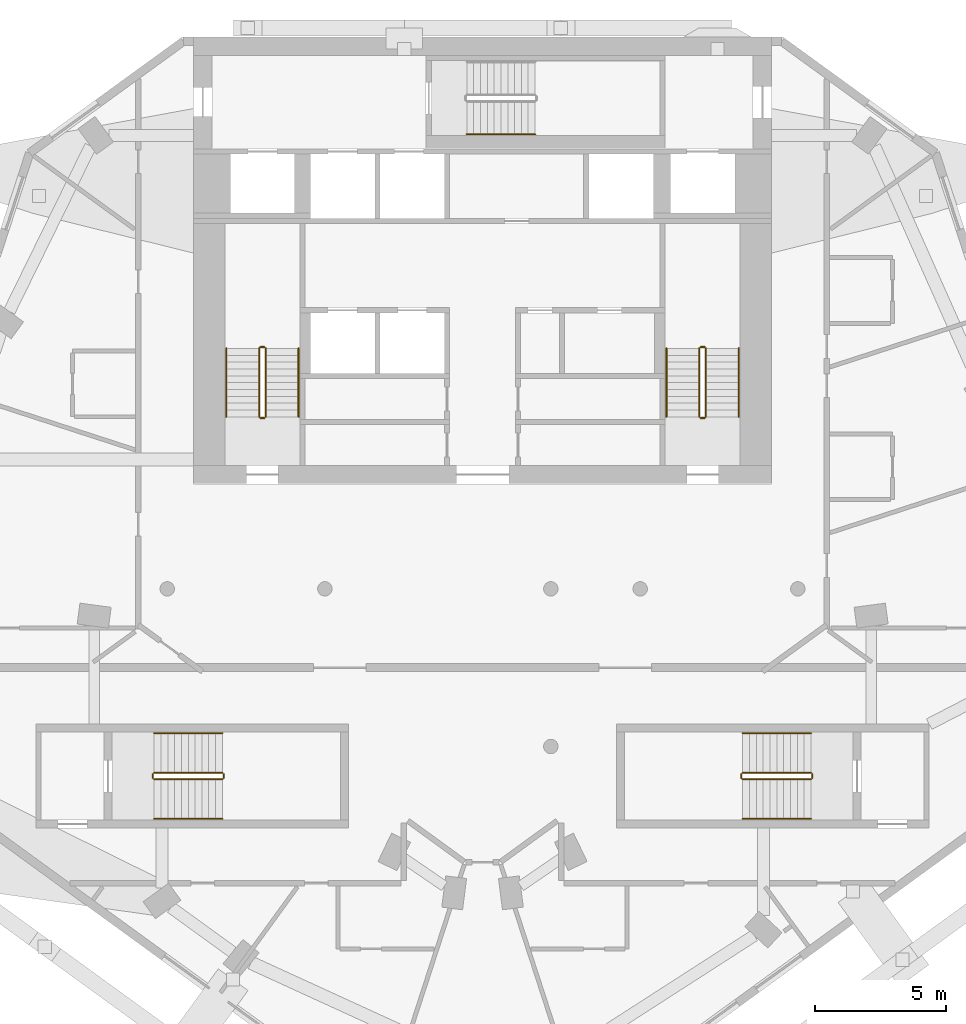
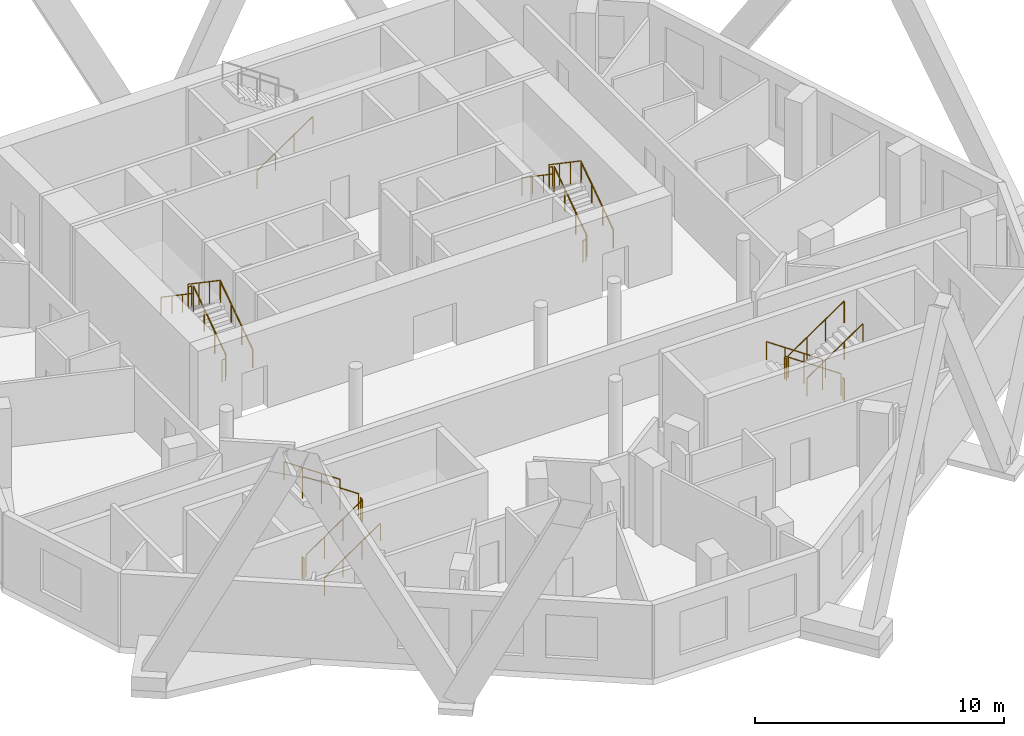
# One storey, part 8 of 9: 25 railings.
"""IFC4 building model written with IfcOpenShell, lengths in metres."""

from ifc_helpers import new_model, si_unit, direction, frame, origin, origin_2d, place, context, subcontext, project, spatial, circle, extrude, material, type_object, element, save


model = new_model("IFC4")

# Units and contexts
model_context = context("Model", 3, precision=1e-05, world=origin(), true_north=direction((0.0, 1.0)))
body_context = subcontext(model_context, "Body", "Model", "MODEL_VIEW")
ifc_project = project(units=[si_unit("LENGTHUNIT", "METRE"), si_unit("AREAUNIT", "SQUARE_METRE"), si_unit("VOLUMEUNIT", "CUBIC_METRE"), si_unit("PLANEANGLEUNIT", "RADIAN"), si_unit("MASSUNIT", "GRAM", prefix="KILO")], contexts=[model_context])

# Site, building, storey
site_placement = place(None, origin())
site = spatial("IfcSite", under=ifc_project, at=site_placement, CompositionType="ELEMENT")
building_placement = place(site_placement, origin())
building = spatial("IfcBuilding", under=site, at=building_placement, Name="White Candle Pilgrim Tower", CompositionType="ELEMENT")
storey_placement = place(building_placement, frame((0.0, 0.0, 271.699951171875)))
storey = spatial("IfcBuildingStorey", under=building, at=storey_placement, Name="L64", CompositionType="ELEMENT", Elevation=271.699951171875)

# Railings
ifc_material = material(Name="Stainless steel", Category="steel")
railing_type_1 = type_object("IfcRailingType", Name="Stair guard stainless steel 1100 mm", PredefinedType="GUARDRAIL", material=ifc_material)
railing_1_placement = place(storey_placement, frame((61.75, 73.550048828125, 0.17724609375)))
element("IfcRailing", 1, at=railing_1_placement, inside=storey, type_object=railing_type_1, Name="L64 ST1 stair guard 1", PredefinedType="GUARDRAIL", context=body_context, shape_type="SweptSolid", body=[
    extrude(circle(Radius=0.02392578125, at=origin_2d()), frame((0.0, 0.0, 1.076171875), z_axis=(0.0, 0.826215852431, 0.563353676824), x_axis=(-1.0, 0.0, 0.0)), (0.0, 0.0, 1.0), 3.146728515625),
    extrude(circle(Radius=0.02099609375, at=origin_2d()), origin(), (0.0, 0.0, 1.0), 1.052001953125),
    extrude(circle(Radius=0.02099609375, at=origin_2d()), frame((0.0, 0.86669921875, 0.5908203125)), (0.0, 0.0, 1.0), 1.052001953125),
    extrude(circle(Radius=0.02099609375, at=origin_2d()), frame((0.0, 1.733154296875, 1.181884765625)), (0.0, 0.0, 1.0), 1.052001953125),
    extrude(circle(Radius=0.02099609375, at=origin_2d()), frame((0.0, 2.599853515625, 1.772705078125)), (0.0, 0.0, 1.0), 1.052001953125),
])
railing_2_placement = place(storey_placement, frame((61.699951171875, 76.199951171875, 1.949951171875)))
element("IfcRailing", 2, at=railing_2_placement, inside=storey, type_object=railing_type_1, Name="L64 ST1 stair guard 2", PredefinedType="GUARDRAIL", context=body_context, shape_type="SweptSolid", body=[
    extrude(circle(Radius=0.02392578125, at=origin_2d()), frame((0.0, 0.0, 1.076171875), z_axis=(-1.0, 0.0, 0.0), x_axis=(0.0, -1.0, 0.0)), (0.0, 0.0, 1.0), 0.14990234375),
    extrude(circle(Radius=0.02099609375, at=origin_2d()), origin(), (0.0, 0.0, 1.0), 1.052001953125),
    extrude(circle(Radius=0.02099609375, at=origin_2d()), frame((-0.14990234375, 0.0, 0.0)), (0.0, 0.0, 1.0), 1.052001953125),
])
railing_3_placement = place(storey_placement, frame((61.5, 76.14990234375, 2.12744140625)))
element("IfcRailing", 3, at=railing_3_placement, inside=storey, type_object=railing_type_1, Name="L64 ST1 stair guard 3", PredefinedType="GUARDRAIL", context=body_context, shape_type="SweptSolid", body=[
    extrude(circle(Radius=0.02392578125, at=origin_2d()), frame((0.0, 0.0, 1.076171875), z_axis=(0.0, -0.826215852431, 0.563353676824), x_axis=(1.0, 0.0, 0.0)), (0.0, 0.0, 1.0), 3.146728515625),
    extrude(circle(Radius=0.02099609375, at=origin_2d()), origin(), (0.0, 0.0, 1.0), 1.052001953125),
    extrude(circle(Radius=0.02099609375, at=origin_2d()), frame((0.0, -0.86669921875, 0.5908203125)), (0.0, 0.0, 1.0), 1.052001953125),
    extrude(circle(Radius=0.02099609375, at=origin_2d()), frame((0.0, -1.733154296875, 1.181884765625)), (0.0, 0.0, 1.0), 1.052001953125),
    extrude(circle(Radius=0.02099609375, at=origin_2d()), frame((0.0, -2.599853515625, 1.772705078125)), (0.0, 0.0, 1.0), 1.052001953125),
])
railing_4_placement = place(storey_placement, frame((61.699951171875, 73.5, 0.0)))
element("IfcRailing", 4, at=railing_4_placement, inside=storey, type_object=railing_type_1, Name="L64 ST1 stair guard 4", PredefinedType="GUARDRAIL", context=body_context, shape_type="SweptSolid", body=[
    extrude(circle(Radius=0.02392578125, at=origin_2d()), frame((0.0, 0.0, 1.076171875), z_axis=(-1.0, 0.0, 0.0), x_axis=(0.0, -1.0, 0.0)), (0.0, 0.0, 1.0), 0.14990234375),
    extrude(circle(Radius=0.02099609375, at=origin_2d()), origin(), (0.0, 0.0, 1.0), 1.052001953125),
    extrude(circle(Radius=0.02099609375, at=origin_2d()), frame((-0.14990234375, 0.0, 0.0)), (0.0, 0.0, 1.0), 1.052001953125),
])
railing_5_placement = place(storey_placement, frame((78.5, 73.550048828125, 0.17724609375)))
element("IfcRailing", 5, at=railing_5_placement, inside=storey, type_object=railing_type_1, Name="L64 ST2 stair guard 1", PredefinedType="GUARDRAIL", context=body_context, shape_type="SweptSolid", body=[
    extrude(circle(Radius=0.02392578125, at=origin_2d()), frame((0.0, 0.0, 1.076171875), z_axis=(0.0, 0.826215852431, 0.563353676824), x_axis=(-1.0, 0.0, 0.0)), (0.0, 0.0, 1.0), 3.146728515625),
    extrude(circle(Radius=0.02099609375, at=origin_2d()), origin(), (0.0, 0.0, 1.0), 1.052001953125),
    extrude(circle(Radius=0.02099609375, at=origin_2d()), frame((0.0, 0.86669921875, 0.5908203125)), (0.0, 0.0, 1.0), 1.052001953125),
    extrude(circle(Radius=0.02099609375, at=origin_2d()), frame((0.0, 1.733154296875, 1.181884765625)), (0.0, 0.0, 1.0), 1.052001953125),
    extrude(circle(Radius=0.02099609375, at=origin_2d()), frame((0.0, 2.599853515625, 1.772705078125)), (0.0, 0.0, 1.0), 1.052001953125),
])
railing_6_placement = place(storey_placement, frame((78.449951171875, 76.199951171875, 1.949951171875)))
element("IfcRailing", 6, at=railing_6_placement, inside=storey, type_object=railing_type_1, Name="L64 ST2 stair guard 2", PredefinedType="GUARDRAIL", context=body_context, shape_type="SweptSolid", body=[
    extrude(circle(Radius=0.02392578125, at=origin_2d()), frame((0.0, 0.0, 1.076171875), z_axis=(-1.0, 0.0, 0.0), x_axis=(0.0, -1.0, 0.0)), (0.0, 0.0, 1.0), 0.14990234375),
    extrude(circle(Radius=0.02099609375, at=origin_2d()), origin(), (0.0, 0.0, 1.0), 1.052001953125),
    extrude(circle(Radius=0.02099609375, at=origin_2d()), frame((-0.14990234375, 0.0, 0.0)), (0.0, 0.0, 1.0), 1.052001953125),
])
railing_7_placement = place(storey_placement, frame((78.25, 76.14990234375, 2.12744140625)))
element("IfcRailing", 7, at=railing_7_placement, inside=storey, type_object=railing_type_1, Name="L64 ST2 stair guard 3", PredefinedType="GUARDRAIL", context=body_context, shape_type="SweptSolid", body=[
    extrude(circle(Radius=0.02392578125, at=origin_2d()), frame((0.0, 0.0, 1.076171875), z_axis=(0.0, -0.826215852431, 0.563353676824), x_axis=(1.0, 0.0, 0.0)), (0.0, 0.0, 1.0), 3.146728515625),
    extrude(circle(Radius=0.02099609375, at=origin_2d()), origin(), (0.0, 0.0, 1.0), 1.052001953125),
    extrude(circle(Radius=0.02099609375, at=origin_2d()), frame((0.0, -0.86669921875, 0.5908203125)), (0.0, 0.0, 1.0), 1.052001953125),
    extrude(circle(Radius=0.02099609375, at=origin_2d()), frame((0.0, -1.733154296875, 1.181884765625)), (0.0, 0.0, 1.0), 1.052001953125),
    extrude(circle(Radius=0.02099609375, at=origin_2d()), frame((0.0, -2.599853515625, 1.772705078125)), (0.0, 0.0, 1.0), 1.052001953125),
])
railing_8_placement = place(storey_placement, frame((78.449951171875, 73.5, 0.0)))
element("IfcRailing", 8, at=railing_8_placement, inside=storey, type_object=railing_type_1, Name="L64 ST2 stair guard 4", PredefinedType="GUARDRAIL", context=body_context, shape_type="SweptSolid", body=[
    extrude(circle(Radius=0.02392578125, at=origin_2d()), frame((0.0, 0.0, 1.076171875), z_axis=(-1.0, 0.0, 0.0), x_axis=(0.0, -1.0, 0.0)), (0.0, 0.0, 1.0), 0.14990234375),
    extrude(circle(Radius=0.02099609375, at=origin_2d()), origin(), (0.0, 0.0, 1.0), 1.052001953125),
    extrude(circle(Radius=0.02099609375, at=origin_2d()), frame((-0.14990234375, 0.0, 0.0)), (0.0, 0.0, 1.0), 1.052001953125),
])
railing_9_placement = place(storey_placement, frame((82.5, 60.0, 0.17724609375)))
element("IfcRailing", 9, at=railing_9_placement, inside=storey, type_object=railing_type_1, Name="L64 ST4 stair guard 1", PredefinedType="GUARDRAIL", context=body_context, shape_type="SweptSolid", body=[
    extrude(circle(Radius=0.02392578125, at=origin_2d()), frame((0.0, 0.0, 1.076171875), z_axis=(-0.826240473404, 0.0, 0.563317565952), x_axis=(0.0, -1.0, 0.0)), (0.0, 0.0, 1.0), 3.14697265625),
    extrude(circle(Radius=0.02099609375, at=origin_2d()), origin(), (0.0, 0.0, 1.0), 1.052001953125),
    extrude(circle(Radius=0.02099609375, at=origin_2d()), frame((-0.86669921875, 0.0, 0.5908203125)), (0.0, 0.0, 1.0), 1.052001953125),
    extrude(circle(Radius=0.02099609375, at=origin_2d()), frame((-1.7333984375, 0.0, 1.181884765625)), (0.0, 0.0, 1.0), 1.052001953125),
    extrude(circle(Radius=0.02099609375, at=origin_2d()), frame((-2.60009765625, 0.0, 1.772705078125)), (0.0, 0.0, 1.0), 1.052001953125),
])
railing_10_placement = place(storey_placement, frame((79.85009765625, 59.949951171875, 1.949951171875)))
element("IfcRailing", 10, at=railing_10_placement, inside=storey, type_object=railing_type_1, Name="L64 ST4 stair guard 2", PredefinedType="GUARDRAIL", context=body_context, shape_type="SweptSolid", body=[
    extrude(circle(Radius=0.02392578125, at=origin_2d()), frame((0.0, 0.0, 1.076171875), z_axis=(0.0, -1.0, 0.0), x_axis=(1.0, 0.0, 0.0)), (0.0, 0.0, 1.0), 0.14990234375),
    extrude(circle(Radius=0.02099609375, at=origin_2d()), origin(), (0.0, 0.0, 1.0), 1.052001953125),
    extrude(circle(Radius=0.02099609375, at=origin_2d()), frame((0.0, -0.14990234375, 0.0)), (0.0, 0.0, 1.0), 1.052001953125),
])
railing_11_placement = place(storey_placement, frame((79.89990234375, 59.75, 2.12744140625)))
element("IfcRailing", 11, at=railing_11_placement, inside=storey, type_object=railing_type_1, Name="L64 ST4 stair guard 3", PredefinedType="GUARDRAIL", context=body_context, shape_type="SweptSolid", body=[
    extrude(circle(Radius=0.02392578125, at=origin_2d()), frame((0.0, 0.0, 1.076171875), z_axis=(0.826240473404, 0.0, 0.563317565952), x_axis=(0.0, 1.0, 0.0)), (0.0, 0.0, 1.0), 3.14697265625),
    extrude(circle(Radius=0.02099609375, at=origin_2d()), origin(), (0.0, 0.0, 1.0), 1.052001953125),
    extrude(circle(Radius=0.02099609375, at=origin_2d()), frame((0.86669921875, 0.0, 0.5908203125)), (0.0, 0.0, 1.0), 1.052001953125),
    extrude(circle(Radius=0.02099609375, at=origin_2d()), frame((1.7333984375, 0.0, 1.181884765625)), (0.0, 0.0, 1.0), 1.052001953125),
    extrude(circle(Radius=0.02099609375, at=origin_2d()), frame((2.60009765625, 0.0, 1.772705078125)), (0.0, 0.0, 1.0), 1.052001953125),
])
railing_12_placement = place(storey_placement, frame((82.550048828125, 59.949951171875, 0.0)))
element("IfcRailing", 12, at=railing_12_placement, inside=storey, type_object=railing_type_1, Name="L64 ST4 stair guard 4", PredefinedType="GUARDRAIL", context=body_context, shape_type="SweptSolid", body=[
    extrude(circle(Radius=0.02392578125, at=origin_2d()), frame((0.0, 0.0, 1.076171875), z_axis=(0.0, -1.0, 0.0), x_axis=(1.0, 0.0, 0.0)), (0.0, 0.0, 1.0), 0.14990234375),
    extrude(circle(Radius=0.02099609375, at=origin_2d()), origin(), (0.0, 0.0, 1.0), 1.052001953125),
    extrude(circle(Radius=0.02099609375, at=origin_2d()), frame((0.0, -0.14990234375, 0.0)), (0.0, 0.0, 1.0), 1.052001953125),
])
railing_13_placement = place(storey_placement, frame((57.5, 59.75, 0.17724609375)))
element("IfcRailing", 13, at=railing_13_placement, inside=storey, type_object=railing_type_1, Name="L64 ST5 stair guard 1", PredefinedType="GUARDRAIL", context=body_context, shape_type="SweptSolid", body=[
    extrude(circle(Radius=0.02392578125, at=origin_2d()), frame((0.0, 0.0, 1.076171875), z_axis=(0.826240473404, 0.0, 0.563317565952), x_axis=(0.0, 1.0, 0.0)), (0.0, 0.0, 1.0), 3.14697265625),
    extrude(circle(Radius=0.02099609375, at=origin_2d()), origin(), (0.0, 0.0, 1.0), 1.052001953125),
    extrude(circle(Radius=0.02099609375, at=origin_2d()), frame((0.86669921875, 0.0, 0.5908203125)), (0.0, 0.0, 1.0), 1.052001953125),
    extrude(circle(Radius=0.02099609375, at=origin_2d()), frame((1.7333984375, 0.0, 1.181884765625)), (0.0, 0.0, 1.0), 1.052001953125),
    extrude(circle(Radius=0.02099609375, at=origin_2d()), frame((2.60009765625, 0.0, 1.772705078125)), (0.0, 0.0, 1.0), 1.052001953125),
])
railing_14_placement = place(storey_placement, frame((60.14990234375, 59.800048828125, 1.949951171875)))
element("IfcRailing", 14, at=railing_14_placement, inside=storey, type_object=railing_type_1, Name="L64 ST5 stair guard 2", PredefinedType="GUARDRAIL", context=body_context, shape_type="SweptSolid", body=[
    extrude(circle(Radius=0.02392578125, at=origin_2d()), frame((0.0, 0.0, 1.076171875), z_axis=(0.0, 1.0, 0.0), x_axis=(-1.0, 0.0, 0.0)), (0.0, 0.0, 1.0), 0.14990234375),
    extrude(circle(Radius=0.02099609375, at=origin_2d()), origin(), (0.0, 0.0, 1.0), 1.052001953125),
    extrude(circle(Radius=0.02099609375, at=origin_2d()), frame((0.0, 0.14990234375, 0.0)), (0.0, 0.0, 1.0), 1.052001953125),
])
railing_15_placement = place(storey_placement, frame((60.10009765625, 60.0, 2.12744140625)))
element("IfcRailing", 15, at=railing_15_placement, inside=storey, type_object=railing_type_1, Name="L64 ST5 stair guard 3", PredefinedType="GUARDRAIL", context=body_context, shape_type="SweptSolid", body=[
    extrude(circle(Radius=0.02392578125, at=origin_2d()), frame((0.0, 0.0, 1.076171875), z_axis=(-0.826240473404, 0.0, 0.563317565952), x_axis=(0.0, -1.0, 0.0)), (0.0, 0.0, 1.0), 3.14697265625),
    extrude(circle(Radius=0.02099609375, at=origin_2d()), origin(), (0.0, 0.0, 1.0), 1.052001953125),
    extrude(circle(Radius=0.02099609375, at=origin_2d()), frame((-0.86669921875, 0.0, 0.5908203125)), (0.0, 0.0, 1.0), 1.052001953125),
    extrude(circle(Radius=0.02099609375, at=origin_2d()), frame((-1.7333984375, 0.0, 1.181884765625)), (0.0, 0.0, 1.0), 1.052001953125),
    extrude(circle(Radius=0.02099609375, at=origin_2d()), frame((-2.60009765625, 0.0, 1.772705078125)), (0.0, 0.0, 1.0), 1.052001953125),
])
railing_16_placement = place(storey_placement, frame((57.449951171875, 59.800048828125, 0.0)))
element("IfcRailing", 16, at=railing_16_placement, inside=storey, type_object=railing_type_1, Name="L64 ST5 stair guard 4", PredefinedType="GUARDRAIL", context=body_context, shape_type="SweptSolid", body=[
    extrude(circle(Radius=0.02392578125, at=origin_2d()), frame((0.0, 0.0, 1.076171875), z_axis=(0.0, 1.0, 0.0), x_axis=(-1.0, 0.0, 0.0)), (0.0, 0.0, 1.0), 0.14990234375),
    extrude(circle(Radius=0.02099609375, at=origin_2d()), origin(), (0.0, 0.0, 1.0), 1.052001953125),
    extrude(circle(Radius=0.02099609375, at=origin_2d()), frame((0.0, 0.14990234375, 0.0)), (0.0, 0.0, 1.0), 1.052001953125),
])
railing_type_2 = type_object("IfcRailingType", Name="Stair handrail stainless steel", PredefinedType="HANDRAIL", material=ifc_material)
railing_17_placement = place(storey_placement, frame((63.0, 73.550048828125, 0.17724609375)))
element("IfcRailing", 17, at=railing_17_placement, inside=storey, type_object=railing_type_2, Name="L64 ST1 stair handrail 1", PredefinedType="HANDRAIL", context=body_context, shape_type="SweptSolid", body=[
    extrude(circle(Radius=0.02392578125, at=origin_2d()), frame((0.0, 0.0, 0.8759765625), z_axis=(0.0, 0.826215852431, 0.563353676824), x_axis=(-1.0, 0.0, 0.0)), (0.0, 0.0, 1.0), 3.146728515625),
    extrude(circle(Radius=0.02099609375, at=origin_2d()), origin(), (0.0, 0.0, 1.0), 0.851806640625),
    extrude(circle(Radius=0.02099609375, at=origin_2d()), frame((0.0, 0.86669921875, 0.5908203125)), (0.0, 0.0, 1.0), 0.851806640625),
    extrude(circle(Radius=0.02099609375, at=origin_2d()), frame((0.0, 1.733154296875, 1.181884765625)), (0.0, 0.0, 1.0), 0.851806640625),
    extrude(circle(Radius=0.02099609375, at=origin_2d()), frame((0.0, 2.599853515625, 1.772705078125)), (0.0, 0.0, 1.0), 0.851806640625),
])
railing_18_placement = place(storey_placement, frame((60.25, 76.14990234375, 2.12744140625)))
element("IfcRailing", 18, at=railing_18_placement, inside=storey, type_object=railing_type_2, Name="L64 ST1 stair handrail 2", PredefinedType="HANDRAIL", context=body_context, shape_type="SweptSolid", body=[
    extrude(circle(Radius=0.02392578125, at=origin_2d()), frame((0.0, 0.0, 0.8759765625), z_axis=(0.0, -0.826215852431, 0.563353676824), x_axis=(1.0, 0.0, 0.0)), (0.0, 0.0, 1.0), 3.146728515625),
    extrude(circle(Radius=0.02099609375, at=origin_2d()), origin(), (0.0, 0.0, 1.0), 0.851806640625),
    extrude(circle(Radius=0.02099609375, at=origin_2d()), frame((0.0, -0.86669921875, 0.5908203125)), (0.0, 0.0, 1.0), 0.851806640625),
    extrude(circle(Radius=0.02099609375, at=origin_2d()), frame((0.0, -1.733154296875, 1.181884765625)), (0.0, 0.0, 1.0), 0.851806640625),
    extrude(circle(Radius=0.02099609375, at=origin_2d()), frame((0.0, -2.599853515625, 1.772705078125)), (0.0, 0.0, 1.0), 0.851806640625),
])
railing_19_placement = place(storey_placement, frame((79.75, 73.550048828125, 0.17724609375)))
element("IfcRailing", 19, at=railing_19_placement, inside=storey, type_object=railing_type_2, Name="L64 ST2 stair handrail 1", PredefinedType="HANDRAIL", context=body_context, shape_type="SweptSolid", body=[
    extrude(circle(Radius=0.02392578125, at=origin_2d()), frame((0.0, 0.0, 0.8759765625), z_axis=(0.0, 0.826215852431, 0.563353676824), x_axis=(-1.0, 0.0, 0.0)), (0.0, 0.0, 1.0), 3.146728515625),
    extrude(circle(Radius=0.02099609375, at=origin_2d()), origin(), (0.0, 0.0, 1.0), 0.851806640625),
    extrude(circle(Radius=0.02099609375, at=origin_2d()), frame((0.0, 0.86669921875, 0.5908203125)), (0.0, 0.0, 1.0), 0.851806640625),
    extrude(circle(Radius=0.02099609375, at=origin_2d()), frame((0.0, 1.733154296875, 1.181884765625)), (0.0, 0.0, 1.0), 0.851806640625),
    extrude(circle(Radius=0.02099609375, at=origin_2d()), frame((0.0, 2.599853515625, 1.772705078125)), (0.0, 0.0, 1.0), 0.851806640625),
])
railing_20_placement = place(storey_placement, frame((77.0, 76.14990234375, 2.12744140625)))
element("IfcRailing", 20, at=railing_20_placement, inside=storey, type_object=railing_type_2, Name="L64 ST2 stair handrail 2", PredefinedType="HANDRAIL", context=body_context, shape_type="SweptSolid", body=[
    extrude(circle(Radius=0.02392578125, at=origin_2d()), frame((0.0, 0.0, 0.8759765625), z_axis=(0.0, -0.826215852431, 0.563353676824), x_axis=(1.0, 0.0, 0.0)), (0.0, 0.0, 1.0), 3.146728515625),
    extrude(circle(Radius=0.02099609375, at=origin_2d()), origin(), (0.0, 0.0, 1.0), 0.851806640625),
    extrude(circle(Radius=0.02099609375, at=origin_2d()), frame((0.0, -0.86669921875, 0.5908203125)), (0.0, 0.0, 1.0), 0.851806640625),
    extrude(circle(Radius=0.02099609375, at=origin_2d()), frame((0.0, -1.733154296875, 1.181884765625)), (0.0, 0.0, 1.0), 0.851806640625),
    extrude(circle(Radius=0.02099609375, at=origin_2d()), frame((0.0, -2.599853515625, 1.772705078125)), (0.0, 0.0, 1.0), 0.851806640625),
])
railing_21_placement = place(storey_placement, frame((69.39990234375, 84.300048828125, 0.17724609375)))
element("IfcRailing", 21, at=railing_21_placement, inside=storey, type_object=railing_type_2, Name="L64 ST3 stair handrail 1", PredefinedType="HANDRAIL", context=body_context, shape_type="SweptSolid", body=[
    extrude(circle(Radius=0.02392578125, at=origin_2d()), frame((0.0, 0.0, 0.8759765625), z_axis=(0.826240473404, 0.0, 0.563317565952), x_axis=(0.0, 1.0, 0.0)), (0.0, 0.0, 1.0), 3.14697265625),
    extrude(circle(Radius=0.02099609375, at=origin_2d()), origin(), (0.0, 0.0, 1.0), 0.851806640625),
    extrude(circle(Radius=0.02099609375, at=origin_2d()), frame((0.86669921875, 0.0, 0.5908203125)), (0.0, 0.0, 1.0), 0.851806640625),
    extrude(circle(Radius=0.02099609375, at=origin_2d()), frame((1.7333984375, 0.0, 1.181884765625)), (0.0, 0.0, 1.0), 0.851806640625),
    extrude(circle(Radius=0.02099609375, at=origin_2d()), frame((2.60009765625, 0.0, 1.772705078125)), (0.0, 0.0, 1.0), 0.851806640625),
])
railing_22_placement = place(storey_placement, frame((82.5, 61.5, 0.17724609375)))
element("IfcRailing", 22, at=railing_22_placement, inside=storey, type_object=railing_type_2, Name="L64 ST4 stair handrail 1", PredefinedType="HANDRAIL", context=body_context, shape_type="SweptSolid", body=[
    extrude(circle(Radius=0.02392578125, at=origin_2d()), frame((0.0, 0.0, 0.8759765625), z_axis=(-0.826240473404, 0.0, 0.563317565952), x_axis=(0.0, -1.0, 0.0)), (0.0, 0.0, 1.0), 3.14697265625),
    extrude(circle(Radius=0.02099609375, at=origin_2d()), origin(), (0.0, 0.0, 1.0), 0.851806640625),
    extrude(circle(Radius=0.02099609375, at=origin_2d()), frame((-0.86669921875, 0.0, 0.5908203125)), (0.0, 0.0, 1.0), 0.851806640625),
    extrude(circle(Radius=0.02099609375, at=origin_2d()), frame((-1.7333984375, 0.0, 1.181884765625)), (0.0, 0.0, 1.0), 0.851806640625),
    extrude(circle(Radius=0.02099609375, at=origin_2d()), frame((-2.60009765625, 0.0, 1.772705078125)), (0.0, 0.0, 1.0), 0.851806640625),
])
for number, where, name in (
    (23, (79.89990234375, 58.25, 2.12744140625), "L64 ST4 stair handrail 2"),
    (24, (57.5, 58.25, 0.17724609375), "L64 ST5 stair handrail 1"),
):
    element("IfcRailing", number, at=place(storey_placement, frame(where)), inside=storey, type_object=railing_type_2, Name=name, PredefinedType="HANDRAIL", context=body_context, shape_type="SweptSolid", body=[
        extrude(circle(Radius=0.02392578125, at=origin_2d()), frame((0.0, 0.0, 0.8759765625), z_axis=(0.826240473404, 0.0, 0.563317565952), x_axis=(0.0, 1.0, 0.0)), (0.0, 0.0, 1.0), 3.14697265625),
        extrude(circle(Radius=0.02099609375, at=origin_2d()), origin(), (0.0, 0.0, 1.0), 0.851806640625),
        extrude(circle(Radius=0.02099609375, at=origin_2d()), frame((0.86669921875, 0.0, 0.5908203125)), (0.0, 0.0, 1.0), 0.851806640625),
        extrude(circle(Radius=0.02099609375, at=origin_2d()), frame((1.7333984375, 0.0, 1.181884765625)), (0.0, 0.0, 1.0), 0.851806640625),
        extrude(circle(Radius=0.02099609375, at=origin_2d()), frame((2.60009765625, 0.0, 1.772705078125)), (0.0, 0.0, 1.0), 0.851806640625),
    ])
railing_23_placement = place(storey_placement, frame((60.10009765625, 61.5, 2.12744140625)))
element("IfcRailing", 25, at=railing_23_placement, inside=storey, type_object=railing_type_2, Name="L64 ST5 stair handrail 2", PredefinedType="HANDRAIL", context=body_context, shape_type="SweptSolid", body=[
    extrude(circle(Radius=0.02392578125, at=origin_2d()), frame((0.0, 0.0, 0.8759765625), z_axis=(-0.826240473404, 0.0, 0.563317565952), x_axis=(0.0, -1.0, 0.0)), (0.0, 0.0, 1.0), 3.14697265625),
    extrude(circle(Radius=0.02099609375, at=origin_2d()), origin(), (0.0, 0.0, 1.0), 0.851806640625),
    extrude(circle(Radius=0.02099609375, at=origin_2d()), frame((-0.86669921875, 0.0, 0.5908203125)), (0.0, 0.0, 1.0), 0.851806640625),
    extrude(circle(Radius=0.02099609375, at=origin_2d()), frame((-1.7333984375, 0.0, 1.181884765625)), (0.0, 0.0, 1.0), 0.851806640625),
    extrude(circle(Radius=0.02099609375, at=origin_2d()), frame((-2.60009765625, 0.0, 1.772705078125)), (0.0, 0.0, 1.0), 0.851806640625),
])

save(model, "model.ifc")
